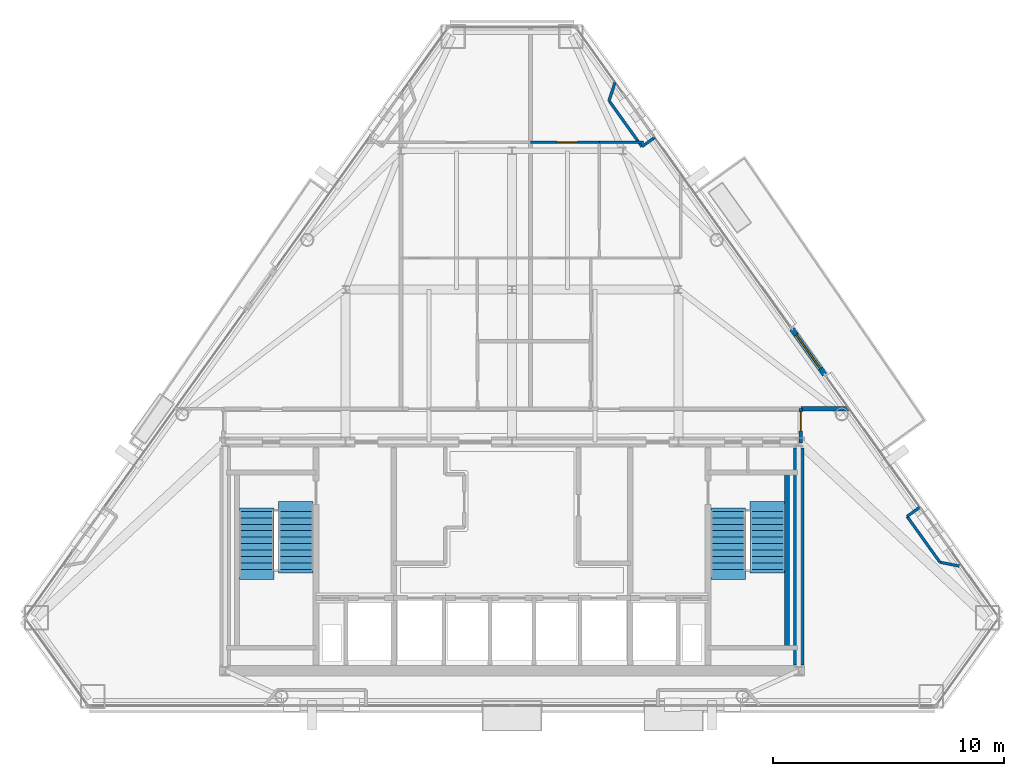
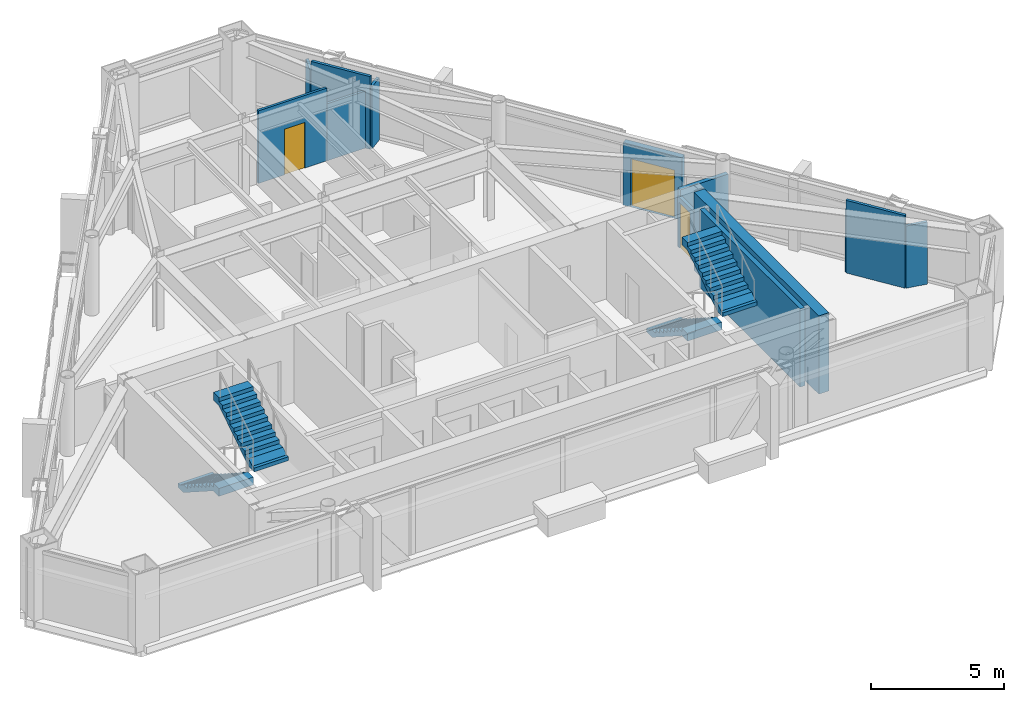
# One storey, part 9 of 11: 13 walls, 4 stair flights, 3 doors, 3 openings, 2 elements without a shape of their own.
"""IFC4 building model written with IfcOpenShell, lengths in metres."""

from ifc_helpers import new_model, si_unit, direction, frame, frame_2d, origin, place, context, subcontext, project, spatial, polyline, rectangle, outline, extrude, material, layer, layer_set, type_object, element, fill, aggregate, save


model = new_model("IFC4")

# Units and contexts
model_context = context("Model", 3, precision=1e-05, world=origin(), true_north=direction((0.0, 1.0)))
body_context = subcontext(model_context, "Body", "Model", "MODEL_VIEW")
ifc_project = project(units=[si_unit("LENGTHUNIT", "METRE"), si_unit("AREAUNIT", "SQUARE_METRE"), si_unit("VOLUMEUNIT", "CUBIC_METRE"), si_unit("PLANEANGLEUNIT", "RADIAN"), si_unit("MASSUNIT", "GRAM", prefix="KILO")], contexts=[model_context])

# Site, building, storey
site_placement = place(None, origin())
site = spatial("IfcSite", under=ifc_project, at=site_placement, CompositionType="ELEMENT")
building_placement = place(site_placement, origin())
building = spatial("IfcBuilding", under=site, at=building_placement, Name="Talgorran Terracotta Tower", CompositionType="ELEMENT")
storey_placement = place(building_placement, frame((0.0, 0.0, 233.39990234375)))
storey = spatial("IfcBuildingStorey", under=building, at=storey_placement, Name="L61", CompositionType="ELEMENT", Elevation=233.39990234375)

# Wall, opening, door
ifc_material_1 = material(Name="Concrete C40/50", Category="concrete")
ifc_layer_1 = layer(ifc_material_1, 0.239990234375, Name="WT_BALCONY_SPAND")
ifc_layer_set_1 = layer_set([ifc_layer_1], Name="Concrete C40/50")
wall_type_1 = type_object("IfcWallType", Name="WT_BALCONY_SPAND", PredefinedType="STANDARD", material=ifc_layer_set_1)
wall_1_placement = place(storey_placement, frame((13.5322265625, -1.28662109375, -0.014892578125), z_axis=(0.0, 0.0, 1.0), x_axis=(-0.582666574714, 0.812711303423, 0.0)))
wall_1 = element("IfcWall", 1, at=wall_1_placement, inside=storey, type_object=wall_type_1, Name="WL-L61-BALP-BAL-NE", PredefinedType="STANDARD", context=body_context, shape_type="SweptSolid", body=[
    extrude(rectangle(XDim=2.43994140625, YDim=0.239990234375, at=frame_2d((1.219970703125, 0.0))), origin(), (0.0, 0.0, 1.0), 2.8779296875),
])
opening_1_placement = place(wall_1_placement, frame((0.320068359375, 0.0, 0.014892578125)))
opening_1 = element("IfcOpeningElement", 2, at=opening_1_placement, cuts=wall_1, Name="Opening D-BAL-L61-1", PredefinedType="OPENING", context=body_context, shape_type="SweptSolid", body=[
    extrude(rectangle(XDim=1.806048828125, YDim=2.203951171875, at=frame_2d((0.89990234375, 1.10205078125))), frame((0.0, 0.1298828125, 0.0), z_axis=(0.0, -1.0, 0.0), x_axis=(1.0, 0.0, 0.0)), (0.0, 0.0, 1.0), 0.260009765625),
])
ifc_material_2 = material(Name="Thermally Broken Aluminium", Category="aluminium")
door_type_1 = type_object("IfcDoorType", Name="DT_BALC_1800", OperationType="SLIDING_TO_LEFT", PredefinedType="DOOR", material=ifc_material_2)
door_1_placement = place(opening_1_placement, origin())
door_1 = element("IfcDoor", 3, at=door_1_placement, inside=storey, type_object=door_type_1, Name="DR-L61-BAL-BAL-NE", OperationType="SLIDING_TO_LEFT", OverallHeight=2.199951171875, OverallWidth=1.800048828125, PredefinedType="DOOR", context=body_context, shape_type="SweptSolid", body=[
    extrude(rectangle(XDim=1.800048828125, YDim=2.199951171875, at=frame_2d((0.89990234375, 1.10009765625))), frame((0.0, 0.02490234375, 0.0), z_axis=(0.0, -1.0, 0.0), x_axis=(1.0, 0.0, 0.0)), (0.0, 0.0, 1.0), 0.050048828125),
])
fill(opening_1, door_1)

# Walls
ifc_material_3 = material(Name="Concrete C50/60", Category="concrete")
ifc_layer_2 = layer(ifc_material_3, 0.199951171875, Name="WT_CORE_200")
ifc_layer_set_2 = layer_set([ifc_layer_2], Name="Concrete C50/60")
wall_type_2 = type_object("IfcWallType", Name="WT_CORE_200", PredefinedType="SOLIDWALL", material=ifc_layer_set_2)
wall_2_placement = place(storey_placement, frame((11.89990234375, -13.10009765625, 0.0), z_axis=(0.0, 0.0, 1.0), x_axis=(0.0, 1.0, 0.0)))
element("IfcWall", 4, at=wall_2_placement, inside=storey, type_object=wall_type_2, Name="WL-L61-CW-ST2-E", PredefinedType="SOLIDWALL", context=body_context, shape_type="SweptSolid", body=[
    extrude(rectangle(XDim=7.580078125, YDim=0.199951171875, at=frame_2d((3.7900390625, 0.0))), origin(), (0.0, 0.0, 1.0), 3.60009765625),
])
ifc_material_4 = material(Name="Concrete C65/80", Category="concrete")
ifc_layer_3 = layer(ifc_material_4, 0.449951171875, Name="WT_CORE_EXT")
ifc_layer_set_3 = layer_set([ifc_layer_3], Name="Concrete C65/80")
wall_type_3 = type_object("IfcWallType", Name="WT_CORE_EXT", PredefinedType="SHEAR", material=ifc_layer_set_3)
wall_3_placement = place(storey_placement, frame((12.39990234375, -13.85009765625, 0.0), z_axis=(0.0, 0.0, 1.0), x_axis=(0.0, 1.0, 0.0)))
element("IfcWall", 5, at=wall_3_placement, inside=storey, type_object=wall_type_3, Name="WL-L61-CW-OUT-E", PredefinedType="SHEAR", context=body_context, shape_type="SweptSolid", body=[
    extrude(rectangle(XDim=9.400146484375, YDim=0.449951171875, at=frame_2d((4.7001953125, 0.0))), origin(), (0.0, 0.0, 1.0), 3.60009765625),
])

# Wall, opening, door
ifc_material_5 = material(Name="Fire-Rated Steel Stud Plasterboard", Category="steel")
ifc_layer_4 = layer(ifc_material_5, 0.14990234375, Name="WT_FIRE_150")
ifc_layer_set_4 = layer_set([ifc_layer_4], Name="Fire-Rated Steel Stud Plasterboard")
wall_type_4 = type_object("IfcWallType", Name="WT_FIRE_150", PredefinedType="PARTITIONING", material=ifc_layer_set_4)
wall_4_placement = place(storey_placement, frame((12.5, -4.239990234375, 0.0), z_axis=(0.0, 0.0, 1.0), x_axis=(0.0, 1.0, 0.0)))
wall_4 = element("IfcWall", 6, at=wall_4_placement, inside=storey, type_object=wall_type_4, Name="WL-L61-W-L61-R02", PredefinedType="PARTITIONING", context=body_context, shape_type="SweptSolid", body=[
    extrude(rectangle(XDim=1.47998046875, YDim=0.14990234375, at=frame_2d((0.739990234375, 0.0))), origin(), (0.0, 0.0, 1.0), 2.320068359375),
])
opening_2_placement = place(wall_4_placement, frame((0.521728515625, 0.0, 0.0)))
opening_2 = element("IfcOpeningElement", 7, at=opening_2_placement, cuts=wall_4, Name="Opening DR-L61-R02", PredefinedType="OPENING", context=body_context, shape_type="SweptSolid", body=[
    extrude(rectangle(XDim=0.826068359375, YDim=2.10409765625, at=frame_2d((0.41015625, 1.052001953125))), frame((0.0, 0.0849609375, 0.0), z_axis=(0.0, -1.0, 0.0), x_axis=(1.0, 0.0, 0.0)), (0.0, 0.0, 1.0), 0.169921875),
])
ifc_material_6 = material(Name="Moisture-Resistant Solid Timber", Category="wood")
door_type_2 = type_object("IfcDoorType", Name="DT_INT_820", OperationType="NOTDEFINED", PredefinedType="DOOR", material=ifc_material_6)
door_2_placement = place(opening_2_placement, origin())
door_2 = element("IfcDoor", 8, at=door_2_placement, inside=storey, type_object=door_type_2, Name="DR-L61-R02", OperationType="SINGLE_SWING_RIGHT", OverallHeight=2.10009765625, OverallWidth=0.820068359375, PredefinedType="DOOR", context=body_context, shape_type="SweptSolid", body=[
    extrude(rectangle(XDim=0.820068359375, YDim=2.10009765625, at=frame_2d((0.41015625, 1.050048828125))), frame((0.0, 0.02490234375, 0.0), z_axis=(0.0, -1.0, 0.0), x_axis=(1.0, 0.0, 0.0)), (0.0, 0.0, 1.0), 0.050048828125),
])
fill(opening_2, door_2)

# Wall
ifc_material_7 = material(Name="Acoustic Stud and Plasterboard")
ifc_layer_5 = layer(ifc_material_7, 0.179931640625, Name="WT_PARTY_200")
ifc_layer_set_5 = layer_set([ifc_layer_5], Name="Acoustic Stud and Plasterboard")
wall_type_5 = type_object("IfcWallType", Name="WT_PARTY_200", PredefinedType="PARTITIONING", material=ifc_layer_set_5)
wall_5_placement = place(storey_placement, frame((12.5, -2.760009765625, 0.0), z_axis=(0.0, 0.0, 1.0), x_axis=(1.0, 0.0, 0.0)))
element("IfcWall", 9, at=wall_5_placement, inside=storey, type_object=wall_type_5, Name="WL-L61-W-L61-R09", PredefinedType="PARTITIONING", context=body_context, shape_type="SweptSolid", body=[
    extrude(rectangle(XDim=2.08837890625, YDim=0.179931640625, at=frame_2d((1.044189453125, 0.0))), origin(), (0.0, 0.0, 1.0), 2.6201171875),
])

# Wall, opening, door
ifc_material_8 = material(Name="Lightweight Steel Stud Partition", Category="steel")
ifc_layer_6 = layer(ifc_material_8, 0.10498046875, Name="WT_PART_110")
ifc_layer_set_6 = layer_set([ifc_layer_6], Name="Lightweight Steel Stud Partition")
wall_type_6 = type_object("IfcWallType", Name="WT_PART_110", PredefinedType="PARTITIONING", material=ifc_layer_set_6)
wall_6_placement = place(storey_placement, frame((0.800048828125, 8.760009765625, 0.0), z_axis=(0.0, 0.0, 1.0), x_axis=(1.0, 0.0, 0.0)))
wall_6 = element("IfcWall", 10, at=wall_6_placement, inside=storey, type_object=wall_type_6, Name="WL-L61-W-L61-R31", PredefinedType="PARTITIONING", context=body_context, shape_type="SweptSolid", body=[
    extrude(rectangle(XDim=2.97998046875, YDim=0.10498046875, at=frame_2d((1.489990234375, 0.0))), origin(), (0.0, 0.0, 1.0), 3.34521484375),
])
opening_3_placement = place(wall_6_placement, frame((1.14892578125, 0.0, 0.0)))
opening_3 = element("IfcOpeningElement", 11, at=opening_3_placement, cuts=wall_6, Name="Opening DR-L61-R12", PredefinedType="OPENING", context=body_context, shape_type="SweptSolid", body=[
    extrude(rectangle(XDim=0.8858828125, YDim=2.10409765625, at=frame_2d((0.43994140625, 1.052001953125))), frame((0.0, 0.0625, 0.0), z_axis=(0.0, -1.0, 0.0), x_axis=(1.0, 0.0, 0.0)), (0.0, 0.0, 1.0), 0.125),
])
ifc_material_9 = material(Name="Solid-Core Painted Timber", Category="wood")
door_type_3 = type_object("IfcDoorType", Name="DT_INT_880", OperationType="NOTDEFINED", PredefinedType="DOOR", material=ifc_material_9)
door_3_placement = place(opening_3_placement, origin())
door_3 = element("IfcDoor", 12, at=door_3_placement, inside=storey, type_object=door_type_3, Name="DR-L61-R12", OperationType="SINGLE_SWING_RIGHT", OverallHeight=2.10009765625, OverallWidth=0.8798828125, PredefinedType="DOOR", context=body_context, shape_type="SweptSolid", body=[
    extrude(rectangle(XDim=0.8798828125, YDim=2.10009765625, at=frame_2d((0.43994140625, 1.050048828125))), frame((0.0, 0.02490234375, 0.0), z_axis=(0.0, -1.0, 0.0), x_axis=(1.0, 0.0, 0.0)), (0.0, 0.0, 1.0), 0.050048828125),
])
fill(opening_3, door_3)

# Walls
wall_7_placement = place(storey_placement, frame((3.780029296875, 8.760009765625, 0.0), z_axis=(0.0, 0.0, 1.0), x_axis=(1.0, 0.0, 0.0)))
element("IfcWall", 13, at=wall_7_placement, inside=storey, type_object=wall_type_6, Name="WL-L61-W-L61-R32", PredefinedType="PARTITIONING", context=body_context, shape_type="SweptSolid", body=[
    extrude(rectangle(XDim=1.919921875, YDim=0.10498046875, at=frame_2d((0.9599609375, 0.0))), origin(), (0.0, 0.0, 1.0), 2.6201171875),
])
ifc_material_10 = material(Name="Insulated Steel Stud Plasterboard", Category="steel")
ifc_layer_7 = layer(ifc_material_10, 0.1201171875, Name="WT_PART_120")
ifc_layer_set_7 = layer_set([ifc_layer_7], Name="Insulated Steel Stud Plasterboard")
wall_type_7 = type_object("IfcWallType", Name="WT_PART_120", PredefinedType="PARTITIONING", material=ifc_layer_set_7)
for number, where, z_axis, x_axis, name in (
    (14, (5.62109375, 8.580810546875, 0.0), (0.0, 0.0, 1.0), (-0.582627952247, 0.812738992088, 0.0), "WL-L61-BW-L61-17"),
    (15, (18.515380859375, -9.404052734375, 0.0), (0.0, 0.0, 1.0), (-0.58269400411, 0.812691637446, 0.0), "WL-L61-BW-L61-12"),
):
    element("IfcWall", number, at=place(storey_placement, frame(where, z_axis=z_axis, x_axis=x_axis)), inside=storey, type_object=wall_type_7, Name=name, PredefinedType="PARTITIONING", context=body_context, shape_type="SweptSolid", body=[
        extrude(rectangle(XDim=2.44140625, YDim=0.1201171875, at=frame_2d((1.220703125, 0.0))), origin(), (0.0, 0.0, 1.0), 3.34521484375),
    ])
wall_8_placement = place(storey_placement, frame((19.34912109375, -9.571044921875, 0.0), z_axis=(0.0, 0.0, 1.0), x_axis=(-0.980525420843, 0.196392207279, 0.0)))
element("IfcWall", 16, at=wall_8_placement, inside=storey, type_object=wall_type_7, Name="WL-L61-BW-L61-11", PredefinedType="PARTITIONING", context=body_context, shape_type="SweptSolid", body=[
    extrude(rectangle(XDim=0.850341796875, YDim=0.1201171875, at=frame_2d((0.42529296875, 0.0))), origin(), (0.0, 0.0, 1.0), 2.863037109375),
])
wall_9_placement = place(storey_placement, frame((4.19873046875, 10.56494140625, 0.0), z_axis=(0.0, 0.0, 1.0), x_axis=(0.310228407268, 0.950662051059, 0.0)))
element("IfcWall", 17, at=wall_9_placement, inside=storey, type_object=wall_type_7, Name="WL-L61-BW-L61-18", PredefinedType="PARTITIONING", context=body_context, shape_type="SweptSolid", body=[
    extrude(rectangle(XDim=0.8310546875, YDim=0.1201171875, at=frame_2d((0.41552734375, 0.0))), origin(), (0.0, 0.0, 1.0), 2.863037109375),
])
wall_10_placement = place(storey_placement, frame((6.165771484375, 8.97119140625, 0.0), z_axis=(0.0, 0.0, 1.0), x_axis=(-0.812797002259, -0.582547022238, 0.0)))
element("IfcWall", 18, at=wall_10_placement, inside=storey, type_object=wall_type_7, Name="WL-L61-BW-L61-16", PredefinedType="PARTITIONING", context=body_context, shape_type="SweptSolid", body=[
    extrude(rectangle(XDim=0.670166015625, YDim=0.1201171875, at=frame_2d((0.3349609375, 0.0))), origin(), (0.0, 0.0, 1.0), 2.863037109375),
])
wall_11_placement = place(storey_placement, frame((17.0927734375, -7.419921875, 0.0), z_axis=(0.0, 0.0, 1.0), x_axis=(0.812673311452, 0.582719562786, 0.0)))
element("IfcWall", 19, at=wall_11_placement, inside=storey, type_object=wall_type_7, Name="WL-L61-BW-L61-10", PredefinedType="PARTITIONING", context=body_context, shape_type="SweptSolid", body=[
    extrude(rectangle(XDim=0.669921875, YDim=0.1201171875, at=frame_2d((0.3349609375, 0.0))), origin(), (0.0, 0.0, 1.0), 2.863037109375),
])

# Stair, stair flights
stair_type = type_object("IfcStairType", Name="ST_FIRE_SCISSOR", PredefinedType="HALF_TURN_STAIR", material=ifc_material_1)
stair_1_placement = place(storey_placement, origin())
stair_1 = element("IfcStair", 20, at=stair_1_placement, inside=storey, type_object=stair_type, Name="L61 West Protected Fire Stair ST-01", PredefinedType="HALF_TURN_STAIR")
ifc_layer_8 = layer(ifc_material_1, 0.179931640625, Name="STF_RC_1500")
ifc_layer_set_8 = layer_set([ifc_layer_8], Name="Concrete C40/50")
stair_flight_type = type_object("IfcStairFlightType", Name="STF_RC_1500", PredefinedType="STRAIGHT", material=ifc_layer_set_8)
stair_flight_1_placement = place(storey_placement, frame((-11.050048828125, -7.199951171875, 0.0), z_axis=(0.0, 0.0, 1.0), x_axis=(0.0, -1.0, 0.0)))
stair_flight_1 = element("IfcStairFlight", 21, at=stair_flight_1_placement, type_object=stair_flight_type, Name="ST-01 flight 1", NumberOfRisers=10, NumberOfTreads=9, PredefinedType="STRAIGHT", RiserHeight=0.18, TreadLength=0.28, context=body_context, shape_type="SweptSolid", body=[
    extrude(outline(polyline([(-0.139892578125, 0.0), (-0.139892578125, 0.179931640625), (0.0, 0.179931640625), (0.280029296875, 0.360107421875), (0.56005859375, 0.360107421875), (0.56005859375, 0.5400390625), (0.840087890625, 0.5400390625), (0.840087890625, 0.719970703125), (1.1201171875, 0.719970703125), (1.1201171875, 0.89990234375), (1.39990234375, 0.89990234375), (1.39990234375, 1.080078125), (1.679931640625, 1.080078125), (1.679931640625, 1.260009765625), (1.9599609375, 1.260009765625), (1.9599609375, 1.43994140625), (2.239990234375, 1.43994140625), (2.239990234375, 1.6201171875), (2.52001953125, 1.6201171875), (2.52001953125, 1.800048828125), (2.93994140625, 1.800048828125), (2.93994140625, 1.44189453125), (2.52001953125, 1.44189453125), (0.277099609375, 0.0), (-0.139892578125, 0.0)])), frame((0.0, 0.75, 0.0), z_axis=(0.0, -1.0, 0.0), x_axis=(1.0, 0.0, 0.0)), (0.0, 0.0, 1.0), 1.5),
])
stair_flight_2_placement = place(storey_placement, frame((-9.35009765625, -9.719970703125, 1.800048828125), z_axis=(0.0, 0.0, 1.0), x_axis=(0.0, 1.0, 0.0)))
stair_flight_2 = element("IfcStairFlight", 22, at=stair_flight_2_placement, type_object=stair_flight_type, Name="ST-01 flight 2", NumberOfRisers=10, NumberOfTreads=9, PredefinedType="STRAIGHT", RiserHeight=0.18, TreadLength=0.28, context=body_context, shape_type="SweptSolid", body=[
    extrude(outline(polyline([(-0.139892578125, 0.0), (-0.139892578125, 0.179931640625), (0.0, 0.179931640625), (0.280029296875, 0.360107421875), (0.56005859375, 0.360107421875), (0.56005859375, 0.5400390625), (0.840087890625, 0.5400390625), (0.840087890625, 0.719970703125), (1.1201171875, 0.719970703125), (1.1201171875, 0.89990234375), (1.39990234375, 0.89990234375), (1.39990234375, 1.080078125), (1.679931640625, 1.080078125), (1.679931640625, 1.260009765625), (1.9599609375, 1.260009765625), (1.9599609375, 1.43994140625), (2.239990234375, 1.43994140625), (2.239990234375, 1.6201171875), (2.52001953125, 1.6201171875), (2.52001953125, 1.800048828125), (2.93994140625, 1.800048828125), (2.93994140625, 1.44189453125), (2.52001953125, 1.44189453125), (0.277099609375, 0.0), (-0.139892578125, 0.0)])), frame((0.0, 0.75, 0.0), z_axis=(0.0, -1.0, 0.0), x_axis=(1.0, 0.0, 0.0)), (0.0, 0.0, 1.0), 1.5),
])
aggregate(stair_1, [stair_flight_1, stair_flight_2])

stair_2_placement = place(storey_placement, origin())
stair_2 = element("IfcStair", 23, at=stair_2_placement, inside=storey, type_object=stair_type, Name="L61 East Protected Fire Stair ST-02", PredefinedType="HALF_TURN_STAIR")
stair_flight_3_placement = place(storey_placement, frame((9.35009765625, -7.199951171875, 0.0), z_axis=(0.0, 0.0, 1.0), x_axis=(0.0, -1.0, 0.0)))
stair_flight_3 = element("IfcStairFlight", 24, at=stair_flight_3_placement, type_object=stair_flight_type, Name="ST-02 flight 1", NumberOfRisers=10, NumberOfTreads=9, PredefinedType="STRAIGHT", RiserHeight=0.18, TreadLength=0.28, context=body_context, shape_type="SweptSolid", body=[
    extrude(outline(polyline([(-0.139892578125, 0.0), (-0.139892578125, 0.179931640625), (0.0, 0.179931640625), (0.280029296875, 0.360107421875), (0.56005859375, 0.360107421875), (0.56005859375, 0.5400390625), (0.840087890625, 0.5400390625), (0.840087890625, 0.719970703125), (1.1201171875, 0.719970703125), (1.1201171875, 0.89990234375), (1.39990234375, 0.89990234375), (1.39990234375, 1.080078125), (1.679931640625, 1.080078125), (1.679931640625, 1.260009765625), (1.9599609375, 1.260009765625), (1.9599609375, 1.43994140625), (2.239990234375, 1.43994140625), (2.239990234375, 1.6201171875), (2.52001953125, 1.6201171875), (2.52001953125, 1.800048828125), (2.93994140625, 1.800048828125), (2.93994140625, 1.44189453125), (2.52001953125, 1.44189453125), (0.277099609375, 0.0), (-0.139892578125, 0.0)])), frame((0.0, 0.75, 0.0), z_axis=(0.0, -1.0, 0.0), x_axis=(1.0, 0.0, 0.0)), (0.0, 0.0, 1.0), 1.5),
])
stair_flight_4_placement = place(storey_placement, frame((11.050048828125, -9.719970703125, 1.800048828125), z_axis=(0.0, 0.0, 1.0), x_axis=(0.0, 1.0, 0.0)))
stair_flight_4 = element("IfcStairFlight", 25, at=stair_flight_4_placement, type_object=stair_flight_type, Name="ST-02 flight 2", NumberOfRisers=10, NumberOfTreads=9, PredefinedType="STRAIGHT", RiserHeight=0.18, TreadLength=0.28, context=body_context, shape_type="SweptSolid", body=[
    extrude(outline(polyline([(-0.139892578125, 0.0), (-0.139892578125, 0.179931640625), (0.0, 0.179931640625), (0.280029296875, 0.360107421875), (0.56005859375, 0.360107421875), (0.56005859375, 0.5400390625), (0.840087890625, 0.5400390625), (0.840087890625, 0.719970703125), (1.1201171875, 0.719970703125), (1.1201171875, 0.89990234375), (1.39990234375, 0.89990234375), (1.39990234375, 1.080078125), (1.679931640625, 1.080078125), (1.679931640625, 1.260009765625), (1.9599609375, 1.260009765625), (1.9599609375, 1.43994140625), (2.239990234375, 1.43994140625), (2.239990234375, 1.6201171875), (2.52001953125, 1.6201171875), (2.52001953125, 1.800048828125), (2.93994140625, 1.800048828125), (2.93994140625, 1.44189453125), (2.52001953125, 1.44189453125), (0.277099609375, 0.0), (-0.139892578125, 0.0)])), frame((0.0, 0.75, 0.0), z_axis=(0.0, -1.0, 0.0), x_axis=(1.0, 0.0, 0.0)), (0.0, 0.0, 1.0), 1.5),
])
aggregate(stair_2, [stair_flight_3, stair_flight_4])

save(model, "model.ifc")
